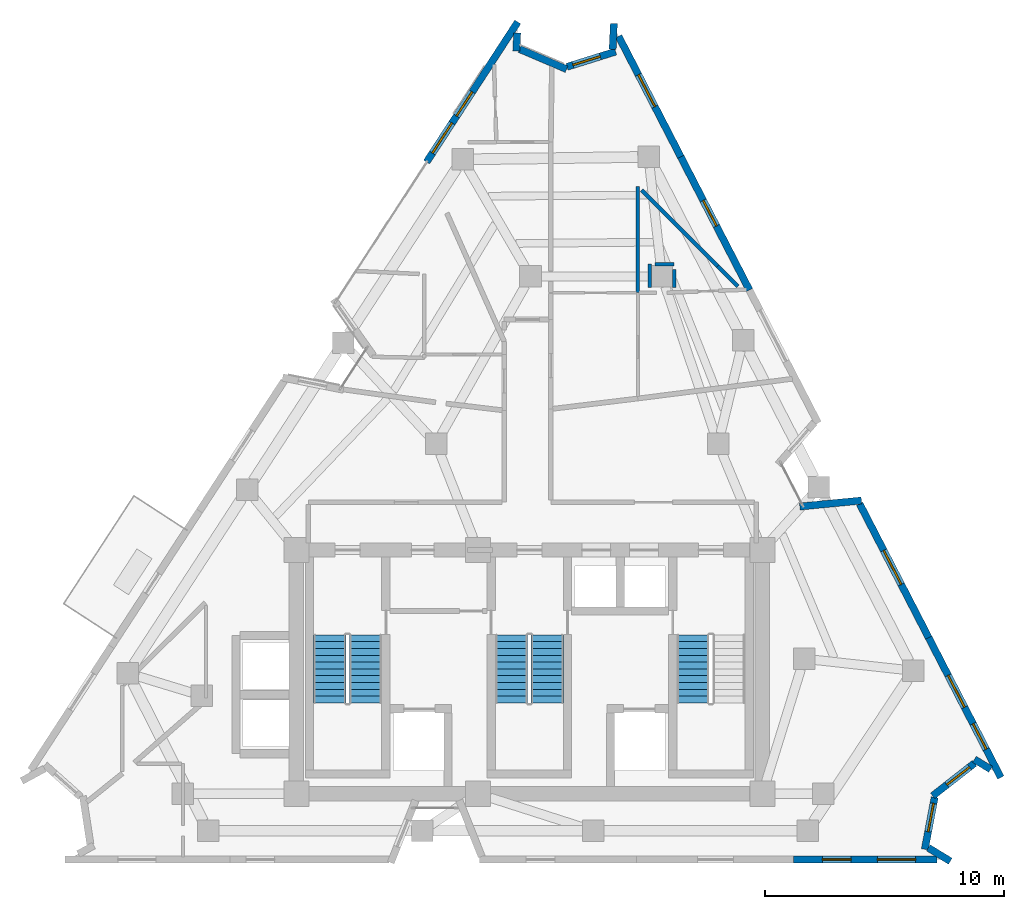
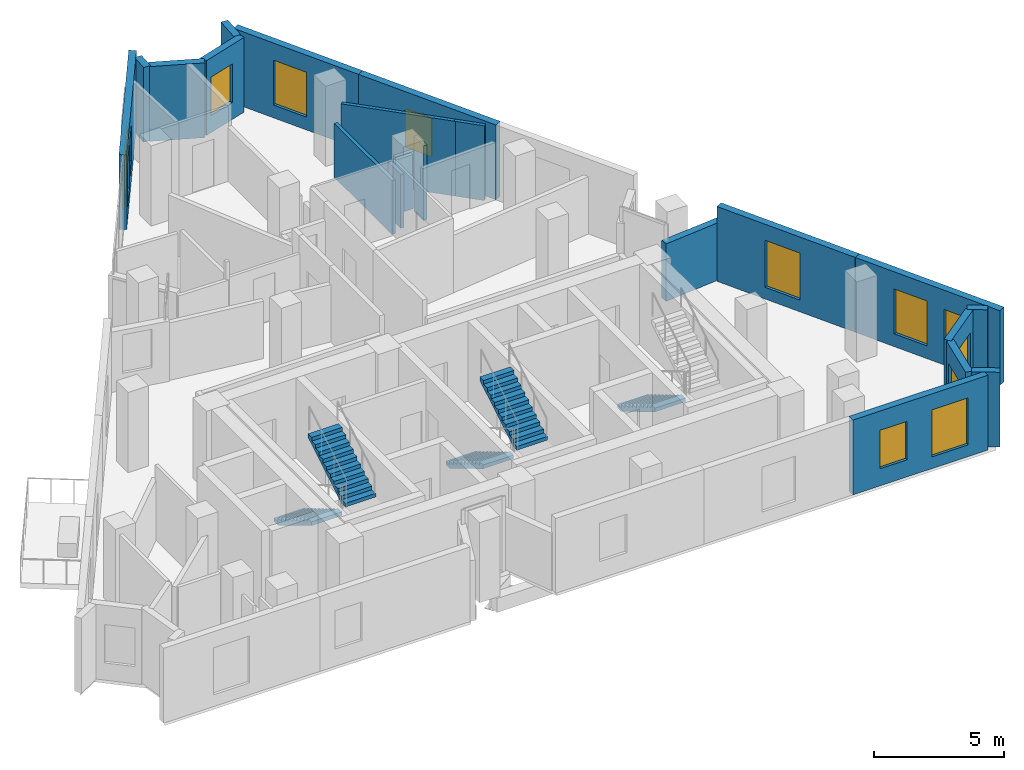
# One storey, part 8 of 11: 21 walls, 12 windows, 5 stair flights, 12 openings, 3 elements without a shape of their own.
"""IFC4 building model written with IfcOpenShell, lengths in metres."""

from ifc_helpers import new_model, si_unit, direction, frame, frame_2d, origin, place, context, subcontext, project, spatial, polyline, rectangle, outline, extrude, material, layer, layer_set, type_object, element, fill, aggregate, save


model = new_model("IFC4")

# Units and contexts
model_context = context("Model", 3, precision=1e-05, world=origin(), true_north=direction((0.0, 1.0)))
body_context = subcontext(model_context, "Body", "Model", "MODEL_VIEW")
ifc_project = project(units=[si_unit("LENGTHUNIT", "METRE"), si_unit("AREAUNIT", "SQUARE_METRE"), si_unit("VOLUMEUNIT", "CUBIC_METRE"), si_unit("PLANEANGLEUNIT", "RADIAN"), si_unit("MASSUNIT", "GRAM", prefix="KILO")], contexts=[model_context])

# Site, building, storey
site_placement = place(None, origin())
site = spatial("IfcSite", under=ifc_project, at=site_placement, CompositionType="ELEMENT")
building_placement = place(site_placement, origin())
building = spatial("IfcBuilding", under=site, at=building_placement, Name="Almagre Mirador Tower", CompositionType="ELEMENT")
storey_placement = place(building_placement, frame((0.0, 0.0, 218.25)))
storey = spatial("IfcBuildingStorey", under=building, at=storey_placement, Name="L56", CompositionType="ELEMENT", Elevation=218.25)

# Wall, openings, windows
ifc_material_1 = material(Name="Precast concrete C50/60", Category="concrete")
ifc_layer_1 = layer(ifc_material_1, 0.300048828125)
ifc_layer_set_1 = layer_set([ifc_layer_1], Name="Precast concrete C50/60")
wall_type_1 = type_object("IfcWallType", Name="WAL-EXT-300", PredefinedType="SOLIDWALL", material=ifc_layer_set_1)
wall_1_placement = place(storey_placement, frame((33.00244140625, 30.988037109375, 0.0), z_axis=(0.0, 0.0, 1.0), x_axis=(0.545668039772, 0.838001426234, 0.0)))
wall_1 = element("IfcWall", 1, at=wall_1_placement, inside=storey, type_object=wall_type_1, Name="L56 expressed almagre precast frame wall 03", PredefinedType="SOLIDWALL", context=body_context, shape_type="SweptSolid", body=[
    extrude(rectangle(XDim=6.99267578125, YDim=0.300048828125, at=frame_2d((3.496337890625, 0.0))), origin(), (0.0, 0.0, 1.0), 3.5),
])
opening_1_placement = place(wall_1_placement, frame((2.300048828125, 0.0, 0.800048828125)))
opening_1 = element("IfcOpeningElement", 2, at=opening_1_placement, cuts=wall_1, Name="Opening WN-04", PredefinedType="OPENING", context=body_context, shape_type="SweptSolid", body=[
    extrude(rectangle(XDim=1.199951171875, YDim=1.800048828125, at=frame_2d((0.60009765625, 0.89990234375))), frame((0.0, 0.159902, 0.0), z_axis=(0.0, -1.0, 0.0), x_axis=(1.0, 0.0, 0.0)), (0.0, 0.0, 1.0), 0.320049),
])
opening_2_placement = place(wall_1_placement, frame((0.444091796875, 0.0, 0.60009765625)))
opening_2 = element("IfcOpeningElement", 3, at=opening_2_placement, cuts=wall_1, Name="Opening WN-03", PredefinedType="OPENING", context=body_context, shape_type="SweptSolid", body=[
    extrude(rectangle(XDim=1.5, YDim=2.10009765625, at=frame_2d((0.75, 1.050048828125))), frame((0.0, 0.159902, 0.0), z_axis=(0.0, -1.0, 0.0), x_axis=(1.0, 0.0, 0.0)), (0.0, 0.0, 1.0), 0.320049),
])
ifc_material_2 = material(Name="Dark solar-control laminated hurricane glass", Category="glass")
window_type_1 = type_object("IfcWindowType", Name="WIN-1200X1800", PartitioningType="SINGLE_PANEL", PredefinedType="WINDOW", material=ifc_material_2)
window_1_placement = place(opening_1_placement, origin())
window_1 = element("IfcWindow", 4, at=window_1_placement, inside=storey, type_object=window_type_1, Name="L56 recessed hurricane window L56-UJ-BT", OverallHeight=1.800048828125, OverallWidth=1.199951171875, PartitioningType="SINGLE_PANEL", PredefinedType="WINDOW", context=body_context, shape_type="SweptSolid", body=[
    extrude(rectangle(XDim=1.199951171875, YDim=1.800048828125, at=frame_2d((0.60009765625, 0.89990234375))), frame((0.0, 0.030029296875, 0.0), z_axis=(0.0, -1.0, 0.0), x_axis=(1.0, 0.0, 0.0)), (0.0, 0.0, 1.0), 0.06005859375),
])
fill(opening_1, window_1)
ifc_material_3 = material(Name="Dark solar-control laminated hurricane glass", Category="glass")
window_type_2 = type_object("IfcWindowType", Name="WIN-1500X2100", PartitioningType="DOUBLE_PANEL_VERTICAL", PredefinedType="WINDOW", material=ifc_material_3)
window_2_placement = place(opening_2_placement, origin())
window_2 = element("IfcWindow", 5, at=window_2_placement, inside=storey, type_object=window_type_2, Name="L56 recessed hurricane window UJ-ST", OverallHeight=2.10009765625, OverallWidth=1.5, PartitioningType="SINGLE_PANEL", PredefinedType="WINDOW", context=body_context, shape_type="SweptSolid", body=[
    extrude(rectangle(XDim=1.5, YDim=2.10009765625, at=frame_2d((0.75, 1.050048828125))), frame((0.0, 0.030029296875, 0.0), z_axis=(0.0, -1.0, 0.0), x_axis=(1.0, 0.0, 0.0)), (0.0, 0.0, 1.0), 0.06005859375),
])
fill(opening_2, window_2)

# Walls
wall_2_placement = place(storey_placement, frame((36.794677734375, 36.388671875, 0.0), z_axis=(0.0, 0.0, 1.0), x_axis=(-0.051042347118, -0.998696489831, 0.0)))
element("IfcWall", 6, at=wall_2_placement, inside=storey, type_object=wall_type_1, Name="L56 expressed almagre precast frame wall 04", PredefinedType="SOLIDWALL", context=body_context, shape_type="SweptSolid", body=[
    extrude(rectangle(XDim=0.760498046875, YDim=0.300048828125, at=frame_2d((0.38037109375, 0.0))), origin(), (0.0, 0.0, 1.0), 3.5),
])
wall_3_placement = place(storey_placement, frame((36.88720703125, 35.7158203125, 0.0), z_axis=(0.0, 0.0, 1.0), x_axis=(0.919567916171, -0.392931097711, 0.0)))
element("IfcWall", 7, at=wall_3_placement, inside=storey, type_object=wall_type_1, Name="L56 expressed almagre precast frame wall 05", PredefinedType="SOLIDWALL", context=body_context, shape_type="SweptSolid", body=[
    extrude(rectangle(XDim=2.147216796875, YDim=0.300048828125, at=frame_2d((1.07373046875, 0.0))), origin(), (0.0, 0.0, 1.0), 3.5),
])

# Wall, opening, window
wall_4_placement = place(storey_placement, frame((38.873291015625, 34.970947265625, 0.0), z_axis=(0.0, 0.0, 1.0), x_axis=(0.954555183372, 0.298034229407, 0.0)))
wall_4 = element("IfcWall", 8, at=wall_4_placement, inside=storey, type_object=wall_type_1, Name="L56 expressed almagre precast frame wall 06", PredefinedType="SOLIDWALL", context=body_context, shape_type="SweptSolid", body=[
    extrude(rectangle(XDim=2.136474609375, YDim=0.300048828125, at=frame_2d((1.068359375, 0.0))), origin(), (0.0, 0.0, 1.0), 3.5),
])
opening_3_placement = place(wall_4_placement, frame((0.262939453125, 0.0, 0.800048828125)))
opening_3 = element("IfcOpeningElement", 9, at=opening_3_placement, cuts=wall_4, Name="Opening WN-04", PredefinedType="OPENING", context=body_context, shape_type="SweptSolid", body=[
    extrude(rectangle(XDim=1.199951171875, YDim=1.800048828125, at=frame_2d((0.60009765625, 0.89990234375))), frame((0.0, 0.159902, 0.0), z_axis=(0.0, -1.0, 0.0), x_axis=(1.0, 0.0, 0.0)), (0.0, 0.0, 1.0), 0.320049),
])
window_3_placement = place(opening_3_placement, origin())
window_3 = element("IfcWindow", 10, at=window_3_placement, inside=storey, type_object=window_type_1, Name="L56 recessed hurricane window L56-RST-K", OverallHeight=1.800048828125, OverallWidth=1.199951171875, PartitioningType="SINGLE_PANEL", PredefinedType="WINDOW", context=body_context, shape_type="SweptSolid", body=[
    extrude(rectangle(XDim=1.199951171875, YDim=1.800048828125, at=frame_2d((0.60009765625, 0.89990234375))), frame((0.0, 0.030029296875, 0.0), z_axis=(0.0, -1.0, 0.0), x_axis=(1.0, 0.0, 0.0)), (0.0, 0.0, 1.0), 0.06005859375),
])
fill(opening_3, window_3)

# Wall
wall_5_placement = place(storey_placement, frame((40.78564453125, 35.700927734375, 0.0), z_axis=(0.0, 0.0, 1.0), x_axis=(0.05016199642, 0.998741094636, 0.0)))
element("IfcWall", 11, at=wall_5_placement, inside=storey, type_object=wall_type_1, Name="L56 expressed almagre precast frame wall 07", PredefinedType="SOLIDWALL", context=body_context, shape_type="SweptSolid", body=[
    extrude(rectangle(XDim=1.08544921875, YDim=0.300048828125, at=frame_2d((0.542724609375, 0.0))), origin(), (0.0, 0.0, 1.0), 3.5),
])

# Wall, opening, window
wall_6_placement = place(storey_placement, frame((41.036865234375, 36.24951171875, 0.0), z_axis=(0.0, 0.0, 1.0), x_axis=(0.458317776769, -0.888788397481, 0.0)))
wall_6 = element("IfcWall", 12, at=wall_6_placement, inside=storey, type_object=wall_type_1, Name="L56 expressed almagre precast frame wall 08", PredefinedType="SOLIDWALL", context=body_context, shape_type="SweptSolid", body=[
    extrude(rectangle(XDim=5.68115234375, YDim=0.300048828125, at=frame_2d((2.840576171875, 0.0))), origin(), (0.0, 0.0, 1.0), 3.5),
])
opening_4_placement = place(wall_6_placement, frame((1.81494140625, 0.0, 0.60009765625)))
opening_4 = element("IfcOpeningElement", 13, at=opening_4_placement, cuts=wall_6, Name="Opening WN-03", PredefinedType="OPENING", context=body_context, shape_type="SweptSolid", body=[
    extrude(rectangle(XDim=1.5, YDim=2.10009765625, at=frame_2d((0.75, 1.050048828125))), frame((0.0, 0.159902, 0.0), z_axis=(0.0, -1.0, 0.0), x_axis=(1.0, 0.0, 0.0)), (0.0, 0.0, 1.0), 0.320049),
])
window_4_placement = place(opening_4_placement, origin())
window_4 = element("IfcWindow", 14, at=window_4_placement, inside=storey, type_object=window_type_2, Name="L56 recessed hurricane window L56-RST-K", OverallHeight=2.10009765625, OverallWidth=1.5, PartitioningType="SINGLE_PANEL", PredefinedType="WINDOW", context=body_context, shape_type="SweptSolid", body=[
    extrude(rectangle(XDim=1.5, YDim=2.10009765625, at=frame_2d((0.75, 1.050048828125))), frame((0.0, 0.030029296875, 0.0), z_axis=(0.0, -1.0, 0.0), x_axis=(1.0, 0.0, 0.0)), (0.0, 0.0, 1.0), 0.06005859375),
])
fill(opening_4, window_4)

wall_7_placement = place(storey_placement, frame((43.640625, 31.2001953125, 0.0), z_axis=(0.0, 0.0, 1.0), x_axis=(0.458306446078, -0.88879424024, 0.0)))
wall_7 = element("IfcWall", 15, at=wall_7_placement, inside=storey, type_object=wall_type_1, Name="L56 expressed almagre precast frame wall 09", PredefinedType="SOLIDWALL", context=body_context, shape_type="SweptSolid", body=[
    extrude(rectangle(XDim=6.26611328125, YDim=0.300048828125, at=frame_2d((3.133056640625, 0.0))), origin(), (0.0, 0.0, 1.0), 3.5),
])
opening_5_placement = place(wall_7_placement, frame((2.050048828125, 0.0, 0.800048828125)))
opening_5 = element("IfcOpeningElement", 16, at=opening_5_placement, cuts=wall_7, Name="Opening WN-04", PredefinedType="OPENING", context=body_context, shape_type="SweptSolid", body=[
    extrude(rectangle(XDim=1.199951171875, YDim=1.800048828125, at=frame_2d((0.60009765625, 0.89990234375))), frame((0.0, 0.159902, 0.0), z_axis=(0.0, -1.0, 0.0), x_axis=(1.0, 0.0, 0.0)), (0.0, 0.0, 1.0), 0.320049),
])
window_5_placement = place(opening_5_placement, origin())
window_5 = element("IfcWindow", 17, at=window_5_placement, inside=storey, type_object=window_type_1, Name="L56 recessed hurricane window L56-RST-K", OverallHeight=1.800048828125, OverallWidth=1.199951171875, PartitioningType="SINGLE_PANEL", PredefinedType="WINDOW", context=body_context, shape_type="SweptSolid", body=[
    extrude(rectangle(XDim=1.199951171875, YDim=1.800048828125, at=frame_2d((0.60009765625, 0.89990234375))), frame((0.0, 0.030029296875, 0.0), z_axis=(0.0, -1.0, 0.0), x_axis=(1.0, 0.0, 0.0)), (0.0, 0.0, 1.0), 0.06005859375),
])
fill(opening_5, window_5)

# Wall
wall_8_placement = place(storey_placement, frame((48.61962890625, 16.5693359375, 0.0), z_axis=(0.0, 0.0, 1.0), x_axis=(0.995258418323, 0.097266030854, 0.0)))
element("IfcWall", 18, at=wall_8_placement, inside=storey, type_object=wall_type_1, Name="L56 expressed almagre precast frame wall 12", PredefinedType="SOLIDWALL", context=body_context, shape_type="SweptSolid", body=[
    extrude(rectangle(XDim=2.5927734375, YDim=0.300048828125, at=frame_2d((1.29638671875, 0.0))), origin(), (0.0, 0.0, 1.0), 2.68994140625),
])

# Wall, opening, window
wall_9_placement = place(storey_placement, frame((51.125, 16.68359375, 0.0), z_axis=(0.0, 0.0, 1.0), x_axis=(0.458334073983, -0.888779993376, 0.0)))
wall_9 = element("IfcWall", 19, at=wall_9_placement, inside=storey, type_object=wall_type_1, Name="L56 expressed almagre precast frame wall 13", PredefinedType="SOLIDWALL", context=body_context, shape_type="SweptSolid", body=[
    extrude(rectangle(XDim=6.302978515625, YDim=0.300048828125, at=frame_2d((3.1513671875, 0.0))), origin(), (0.0, 0.0, 1.0), 3.5),
])
opening_6_placement = place(wall_9_placement, frame((2.195068359375, 0.0, 0.550048828125)))
opening_6 = element("IfcOpeningElement", 20, at=opening_6_placement, cuts=wall_9, Name="Opening WN-06", PredefinedType="OPENING", context=body_context, shape_type="SweptSolid", body=[
    extrude(rectangle(XDim=1.60009765625, YDim=2.199951171875, at=frame_2d((0.800048828125, 1.10009765625))), frame((0.0, 0.159902, 0.0), z_axis=(0.0, -1.0, 0.0), x_axis=(1.0, 0.0, 0.0)), (0.0, 0.0, 1.0), 0.320049),
])
ifc_material_4 = material(Name="Dark solar-control laminated hurricane glass", Category="glass")
window_type_3 = type_object("IfcWindowType", Name="WIN-1600X2200", PartitioningType="DOUBLE_PANEL_VERTICAL", PredefinedType="WINDOW", material=ifc_material_4)
window_6_placement = place(opening_6_placement, origin())
window_6 = element("IfcWindow", 21, at=window_6_placement, inside=storey, type_object=window_type_3, Name="L56 recessed hurricane window L56-RST-F", OverallHeight=2.199951171875, OverallWidth=1.60009765625, PartitioningType="SINGLE_PANEL", PredefinedType="WINDOW", context=body_context, shape_type="SweptSolid", body=[
    extrude(rectangle(XDim=1.60009765625, YDim=2.199951171875, at=frame_2d((0.800048828125, 1.10009765625))), frame((0.0, 0.030029296875, 0.0), z_axis=(0.0, -1.0, 0.0), x_axis=(1.0, 0.0, 0.0)), (0.0, 0.0, 1.0), 0.06005859375),
])
fill(opening_6, window_6)

# Wall, openings, windows
wall_10_placement = place(storey_placement, frame((54.013916015625, 11.08154296875, 0.0), z_axis=(0.0, 0.0, 1.0), x_axis=(0.458349099599, -0.888772244671, 0.0)))
wall_10 = element("IfcWall", 22, at=wall_10_placement, inside=storey, type_object=wall_type_1, Name="L56 expressed almagre precast frame wall 14", PredefinedType="SOLIDWALL", context=body_context, shape_type="SweptSolid", body=[
    extrude(rectangle(XDim=6.5830078125, YDim=0.300048828125, at=frame_2d((3.29150390625, 0.0))), origin(), (0.0, 0.0, 1.0), 3.5),
])
opening_7_placement = place(wall_10_placement, frame((1.77490234375, 0.0, 0.60009765625)))
opening_7 = element("IfcOpeningElement", 23, at=opening_7_placement, cuts=wall_10, Name="Opening WN-03", PredefinedType="OPENING", context=body_context, shape_type="SweptSolid", body=[
    extrude(rectangle(XDim=1.5, YDim=2.10009765625, at=frame_2d((0.75, 1.050048828125))), frame((0.0, 0.159902, 0.0), z_axis=(0.0, -1.0, 0.0), x_axis=(1.0, 0.0, 0.0)), (0.0, 0.0, 1.0), 0.320049),
])
opening_8_placement = place(wall_10_placement, frame((4.050048828125, 0.0, 0.800048828125)))
opening_8 = element("IfcOpeningElement", 24, at=opening_8_placement, cuts=wall_10, Name="Opening WN-04", PredefinedType="OPENING", context=body_context, shape_type="SweptSolid", body=[
    extrude(rectangle(XDim=1.199951171875, YDim=1.800048828125, at=frame_2d((0.60009765625, 0.89990234375))), frame((0.0, 0.159902, 0.0), z_axis=(0.0, -1.0, 0.0), x_axis=(1.0, 0.0, 0.0)), (0.0, 0.0, 1.0), 0.320049),
])
window_7_placement = place(opening_8_placement, origin())
window_7 = element("IfcWindow", 25, at=window_7_placement, inside=storey, type_object=window_type_1, Name="L56 recessed hurricane window L56-UC-KT", OverallHeight=1.800048828125, OverallWidth=1.199951171875, PartitioningType="SINGLE_PANEL", PredefinedType="WINDOW", context=body_context, shape_type="SweptSolid", body=[
    extrude(rectangle(XDim=1.199951171875, YDim=1.800048828125, at=frame_2d((0.60009765625, 0.89990234375))), frame((0.0, 0.030029296875, 0.0), z_axis=(0.0, -1.0, 0.0), x_axis=(1.0, 0.0, 0.0)), (0.0, 0.0, 1.0), 0.06005859375),
])
fill(opening_8, window_7)
window_8_placement = place(opening_7_placement, origin())
window_8 = element("IfcWindow", 26, at=window_8_placement, inside=storey, type_object=window_type_2, Name="L56 recessed hurricane window L56-UC-ST", OverallHeight=2.10009765625, OverallWidth=1.5, PartitioningType="SINGLE_PANEL", PredefinedType="WINDOW", context=body_context, shape_type="SweptSolid", body=[
    extrude(rectangle(XDim=1.5, YDim=2.10009765625, at=frame_2d((0.75, 1.050048828125))), frame((0.0, 0.030029296875, 0.0), z_axis=(0.0, -1.0, 0.0), x_axis=(1.0, 0.0, 0.0)), (0.0, 0.0, 1.0), 0.06005859375),
])
fill(opening_7, window_8)

# Wall
wall_11_placement = place(storey_placement, frame((56.60400390625, 5.576171875, 0.0), z_axis=(0.0, 0.0, 1.0), x_axis=(-0.853729558339, 0.520716661168, 0.0)))
element("IfcWall", 27, at=wall_11_placement, inside=storey, type_object=wall_type_1, Name="L56 expressed almagre precast frame wall 15", PredefinedType="SOLIDWALL", context=body_context, shape_type="SweptSolid", body=[
    extrude(rectangle(XDim=0.794677734375, YDim=0.300048828125, at=frame_2d((0.3974609375, 0.0))), origin(), (0.0, 0.0, 1.0), 3.5),
])

# Wall, opening, window
wall_12_placement = place(storey_placement, frame((55.934814453125, 5.830810546875, 0.0), z_axis=(0.0, 0.0, 1.0), x_axis=(-0.788358616074, -0.61521597221, 0.0)))
wall_12 = element("IfcWall", 28, at=wall_12_placement, inside=storey, type_object=wall_type_1, Name="L56 expressed almagre precast frame wall 16", PredefinedType="SOLIDWALL", context=body_context, shape_type="SweptSolid", body=[
    extrude(rectangle(XDim=2.22509765625, YDim=0.300048828125, at=frame_2d((1.112548828125, 0.0))), origin(), (0.0, 0.0, 1.0), 3.5),
])
opening_9_placement = place(wall_12_placement, frame((0.27001953125, 0.0, 0.800048828125)))
opening_9 = element("IfcOpeningElement", 29, at=opening_9_placement, cuts=wall_12, Name="Opening WN-04", PredefinedType="OPENING", context=body_context, shape_type="SweptSolid", body=[
    extrude(rectangle(XDim=1.199951171875, YDim=1.800048828125, at=frame_2d((0.60009765625, 0.89990234375))), frame((0.0, 0.159902, 0.0), z_axis=(0.0, -1.0, 0.0), x_axis=(1.0, 0.0, 0.0)), (0.0, 0.0, 1.0), 0.320049),
])
window_9_placement = place(opening_9_placement, origin())
window_9 = element("IfcWindow", 30, at=window_9_placement, inside=storey, type_object=window_type_1, Name="L56 recessed hurricane window L56-UC-KT", OverallHeight=1.800048828125, OverallWidth=1.199951171875, PartitioningType="SINGLE_PANEL", PredefinedType="WINDOW", context=body_context, shape_type="SweptSolid", body=[
    extrude(rectangle(XDim=1.199951171875, YDim=1.800048828125, at=frame_2d((0.60009765625, 0.89990234375))), frame((0.0, 0.030029296875, 0.0), z_axis=(0.0, -1.0, 0.0), x_axis=(1.0, 0.0, 0.0)), (0.0, 0.0, 1.0), 0.06005859375),
])
fill(opening_9, window_9)

wall_13_placement = place(storey_placement, frame((54.26318359375, 4.400634765625, 0.0), z_axis=(0.0, 0.0, 1.0), x_axis=(-0.185632792315, -0.982619186876, 0.0)))
wall_13 = element("IfcWall", 31, at=wall_13_placement, inside=storey, type_object=wall_type_1, Name="L56 expressed almagre precast frame wall 17", PredefinedType="SOLIDWALL", context=body_context, shape_type="SweptSolid", body=[
    extrude(rectangle(XDim=2.21484375, YDim=0.300048828125, at=frame_2d((1.107421875, 0.0))), origin(), (0.0, 0.0, 1.0), 3.5),
])
opening_10_placement = place(wall_13_placement, frame((0.260009765625, 0.0, 0.800048828125)))
opening_10 = element("IfcOpeningElement", 32, at=opening_10_placement, cuts=wall_13, Name="Opening WN-04", PredefinedType="OPENING", context=body_context, shape_type="SweptSolid", body=[
    extrude(rectangle(XDim=1.199951171875, YDim=1.800048828125, at=frame_2d((0.60009765625, 0.89990234375))), frame((0.0, 0.159902, 0.0), z_axis=(0.0, -1.0, 0.0), x_axis=(1.0, 0.0, 0.0)), (0.0, 0.0, 1.0), 0.320049),
])
window_10_placement = place(opening_10_placement, origin())
window_10 = element("IfcWindow", 33, at=window_10_placement, inside=storey, type_object=window_type_1, Name="L56 recessed hurricane window L56-UC-KT", OverallHeight=1.800048828125, OverallWidth=1.199951171875, PartitioningType="SINGLE_PANEL", PredefinedType="WINDOW", context=body_context, shape_type="SweptSolid", body=[
    extrude(rectangle(XDim=1.199951171875, YDim=1.800048828125, at=frame_2d((0.60009765625, 0.89990234375))), frame((0.0, 0.030029296875, 0.0), z_axis=(0.0, -1.0, 0.0), x_axis=(1.0, 0.0, 0.0)), (0.0, 0.0, 1.0), 0.06005859375),
])
fill(opening_10, window_10)

# Wall
wall_14_placement = place(storey_placement, frame((53.99755859375, 2.2890625, 0.0), z_axis=(0.0, 0.0, 1.0), x_axis=(0.853840299064, -0.520535055203, 0.0)))
element("IfcWall", 34, at=wall_14_placement, inside=storey, type_object=wall_type_1, Name="L56 expressed almagre precast frame wall 18", PredefinedType="SOLIDWALL", context=body_context, shape_type="SweptSolid", body=[
    extrude(rectangle(XDim=1.07958984375, YDim=0.300048828125, at=frame_2d((0.539794921875, 0.0))), origin(), (0.0, 0.0, 1.0), 3.5),
])

# Wall, openings, windows
wall_15_placement = place(storey_placement, frame((54.360107421875, 1.800048828125, 0.0), z_axis=(0.0, 0.0, 1.0), x_axis=(-1.0, 0.0, 0.0)))
wall_15 = element("IfcWall", 35, at=wall_15_placement, inside=storey, type_object=wall_type_1, Name="L56 expressed almagre precast frame wall 19", PredefinedType="SOLIDWALL", context=body_context, shape_type="SweptSolid", body=[
    extrude(rectangle(XDim=5.994873046875, YDim=0.300048828125, at=frame_2d((2.99755859375, 0.0))), origin(), (0.0, 0.0, 1.0), 3.5),
])
opening_11_placement = place(wall_15_placement, frame((3.594970703125, 0.0, 0.800048828125)))
opening_11 = element("IfcOpeningElement", 36, at=opening_11_placement, cuts=wall_15, Name="Opening WN-04", PredefinedType="OPENING", context=body_context, shape_type="SweptSolid", body=[
    extrude(rectangle(XDim=1.199951171875, YDim=1.800048828125, at=frame_2d((0.60009765625, 0.89990234375))), frame((0.0, 0.159902, 0.0), z_axis=(0.0, -1.0, 0.0), x_axis=(1.0, 0.0, 0.0)), (0.0, 0.0, 1.0), 0.320049),
])
opening_12_placement = place(wall_15_placement, frame((0.89501953125, 0.0, 0.550048828125)))
opening_12 = element("IfcOpeningElement", 37, at=opening_12_placement, cuts=wall_15, Name="Opening WN-06", PredefinedType="OPENING", context=body_context, shape_type="SweptSolid", body=[
    extrude(rectangle(XDim=1.60009765625, YDim=2.199951171875, at=frame_2d((0.800048828125, 1.10009765625))), frame((0.0, 0.159902, 0.0), z_axis=(0.0, -1.0, 0.0), x_axis=(1.0, 0.0, 0.0)), (0.0, 0.0, 1.0), 0.320049),
])
window_11_placement = place(opening_11_placement, origin())
window_11 = element("IfcWindow", 38, at=window_11_placement, inside=storey, type_object=window_type_1, Name="L56 recessed hurricane window L56-UB-ST", OverallHeight=1.800048828125, OverallWidth=1.199951171875, PartitioningType="SINGLE_PANEL", PredefinedType="WINDOW", context=body_context, shape_type="SweptSolid", body=[
    extrude(rectangle(XDim=1.199951171875, YDim=1.800048828125, at=frame_2d((0.60009765625, 0.89990234375))), frame((0.0, 0.030029296875, 0.0), z_axis=(0.0, -1.0, 0.0), x_axis=(1.0, 0.0, 0.0)), (0.0, 0.0, 1.0), 0.06005859375),
])
fill(opening_11, window_11)
window_12_placement = place(opening_12_placement, origin())
window_12 = element("IfcWindow", 39, at=window_12_placement, inside=storey, type_object=window_type_3, Name="L56 recessed hurricane window L56-UC-KT", OverallHeight=2.199951171875, OverallWidth=1.60009765625, PartitioningType="SINGLE_PANEL", PredefinedType="WINDOW", context=body_context, shape_type="SweptSolid", body=[
    extrude(rectangle(XDim=1.60009765625, YDim=2.199951171875, at=frame_2d((0.800048828125, 1.10009765625))), frame((0.0, 0.030029296875, 0.0), z_axis=(0.0, -1.0, 0.0), x_axis=(1.0, 0.0, 0.0)), (0.0, 0.0, 1.0), 0.06005859375),
])
fill(opening_12, window_12)

# Walls
ifc_material_5 = material(Name="Gypsum acoustic stud partition", Category="other")
ifc_layer_2 = layer(ifc_material_5, 0.14990234375)
ifc_layer_set_2 = layer_set([ifc_layer_2], Name="Gypsum acoustic stud partition")
wall_type_2 = type_object("IfcWallType", Name="WAL-PRT-150-STD", PredefinedType="PARTITIONING", material=ifc_layer_set_2)
wall_16_placement = place(storey_placement, frame((41.840087890625, 29.969970703125, 0.0), z_axis=(0.0, 0.0, 1.0), x_axis=(0.0, -1.0, 0.0)))
element("IfcWall", 40, at=wall_16_placement, inside=storey, type_object=wall_type_2, Name="L56 interior partition 048", PredefinedType="PARTITIONING", context=body_context, shape_type="SweptSolid", body=[
    extrude(rectangle(XDim=4.4375, YDim=0.14990234375, at=frame_2d((2.21875, 0.0))), origin(), (0.0, 0.0, 1.0), 2.52001953125),
])
wall_17_placement = place(storey_placement, frame((42.340087890625, 25.735107421875, 0.0), z_axis=(0.0, 0.0, 1.0), x_axis=(0.0, 1.0, 0.0)))
element("IfcWall", 41, at=wall_17_placement, inside=storey, type_object=wall_type_2, Name="L56 interior partition 061", PredefinedType="PARTITIONING", context=body_context, shape_type="SweptSolid", body=[
    extrude(rectangle(XDim=0.974853515625, YDim=0.14990234375, at=frame_2d((0.4873046875, 0.0))), origin(), (0.0, 0.0, 1.0), 2.52001953125),
])
wall_18_placement = place(storey_placement, frame((42.554931640625, 26.7099609375, 0.0), z_axis=(0.0, 0.0, 1.0), x_axis=(1.0, 0.0, 0.0)))
element("IfcWall", 42, at=wall_18_placement, inside=storey, type_object=wall_type_2, Name="L56 interior partition 062", PredefinedType="PARTITIONING", context=body_context, shape_type="SweptSolid", body=[
    extrude(rectangle(XDim=0.80517578125, YDim=0.14990234375, at=frame_2d((0.402587890625, 0.0))), origin(), (0.0, 0.0, 1.0), 2.68505859375),
])
wall_19_placement = place(storey_placement, frame((43.360107421875, 26.4951171875, 0.0), z_axis=(0.0, 0.0, 1.0), x_axis=(0.0, -1.0, 0.0)))
element("IfcWall", 43, at=wall_19_placement, inside=storey, type_object=wall_type_2, Name="L56 interior partition 063", PredefinedType="PARTITIONING", context=body_context, shape_type="SweptSolid", body=[
    extrude(rectangle(XDim=0.75, YDim=0.14990234375, at=frame_2d((0.375, 0.0))), origin(), (0.0, 0.0, 1.0), 3.5),
])
wall_20_placement = place(storey_placement, frame((46.024658203125, 25.785400390625, 0.0), z_axis=(0.0, 0.0, 1.0), x_axis=(-0.707106781187, 0.707106781187, 0.0)))
element("IfcWall", 44, at=wall_20_placement, inside=storey, type_object=wall_type_2, Name="L56 interior partition 901", PredefinedType="PARTITIONING", context=body_context, shape_type="SweptSolid", body=[
    extrude(rectangle(XDim=1.19970703125, YDim=0.14990234375, at=frame_2d((0.599853515625, 0.0))), origin(), (0.0, 0.0, 1.0), 3.5),
])
wall_21_placement = place(storey_placement, frame((45.216796875, 26.593017578125, 0.0), z_axis=(0.0, 0.0, 1.0), x_axis=(-0.707079952633, 0.707133608723, 0.0)))
element("IfcWall", 45, at=wall_21_placement, inside=storey, type_object=wall_type_2, Name="L56 interior partition 902", PredefinedType="PARTITIONING", context=body_context, shape_type="SweptSolid", body=[
    extrude(rectangle(XDim=4.550048828125, YDim=0.14990234375, at=frame_2d((2.27490234375, 0.0))), origin(), (0.0, 0.0, 1.0), 3.5),
])

# Stair, stair flights
ifc_material_6 = material(Name="Concrete C45/55", Category="concrete")
stair_type = type_object("IfcStairType", Name="STR-DL-3750", PredefinedType="HALF_TURN_STAIR", material=ifc_material_6)
stair_1_placement = place(storey_placement, origin())
stair_1 = element("IfcStair", 46, at=stair_1_placement, inside=storey, type_object=stair_type, Name="L56 Protected exit stair ST-1", PredefinedType="HALF_TURN_STAIR")
ifc_material_7 = material(Name="Concrete C45/55", Category="concrete")
stair_flight_type = type_object("IfcStairFlightType", Name="FLT-DL-3750", PredefinedType="STRAIGHT", material=ifc_material_7)
stair_flight_1_placement = place(storey_placement, frame((28.949951171875, 11.199951171875, 0.0), z_axis=(0.0, 0.0, 1.0), x_axis=(0.0, -1.0, 0.0)))
stair_flight_1 = element("IfcStairFlight", 47, at=stair_flight_1_placement, type_object=stair_flight_type, Name="ST-1 flight 1", NumberOfRisers=11, NumberOfTreads=10, PredefinedType="STRAIGHT", RiserHeight=0.170454545, TreadLength=0.285, context=body_context, shape_type="SweptSolid", body=[
    extrude(outline(polyline([(0.0, 0.0), (0.0, 0.17041015625), (0.284912109375, 0.17041015625), (0.284912109375, 0.3408203125), (0.570068359375, 0.3408203125), (0.570068359375, 0.511474609375), (0.85498046875, 0.511474609375), (0.85498046875, 0.681884765625), (1.139892578125, 0.681884765625), (1.139892578125, 0.852294921875), (1.425048828125, 0.852294921875), (1.425048828125, 1.022705078125), (1.7099609375, 1.022705078125), (1.7099609375, 1.193115234375), (1.9951171875, 1.193115234375), (1.9951171875, 1.363525390625), (2.280029296875, 1.363525390625), (2.280029296875, 1.5341796875), (2.56494140625, 1.5341796875), (2.56494140625, 1.70458984375), (2.85009765625, 1.70458984375), (2.85009765625, 1.875), (2.85009765625, 1.52978515625), (0.2919921875, 0.0), (0.0, 0.0)])), frame((0.0, 0.675048828125, 0.0), z_axis=(0.0, -1.0, 0.0), x_axis=(1.0, 0.0, 0.0)), (0.0, 0.0, 1.0), 1.35009765625),
])
stair_flight_2_placement = place(storey_placement, frame((30.449951171875, 8.35009765625, 1.875), z_axis=(0.0, 0.0, 1.0), x_axis=(0.0, 1.0, 0.0)))
stair_flight_2 = element("IfcStairFlight", 48, at=stair_flight_2_placement, type_object=stair_flight_type, Name="ST-1 flight 2", NumberOfRisers=11, NumberOfTreads=10, PredefinedType="STRAIGHT", RiserHeight=0.170454545, TreadLength=0.285, context=body_context, shape_type="SweptSolid", body=[
    extrude(outline(polyline([(0.0, 0.0), (0.0, 0.17041015625), (0.284912109375, 0.17041015625), (0.284912109375, 0.3408203125), (0.570068359375, 0.3408203125), (0.570068359375, 0.511474609375), (0.85498046875, 0.511474609375), (0.85498046875, 0.681884765625), (1.139892578125, 0.681884765625), (1.139892578125, 0.852294921875), (1.425048828125, 0.852294921875), (1.425048828125, 1.022705078125), (1.7099609375, 1.022705078125), (1.7099609375, 1.193115234375), (1.9951171875, 1.193115234375), (1.9951171875, 1.363525390625), (2.280029296875, 1.363525390625), (2.280029296875, 1.5341796875), (2.56494140625, 1.5341796875), (2.56494140625, 1.70458984375), (2.85009765625, 1.70458984375), (2.85009765625, 1.875), (2.85009765625, 1.52978515625), (0.2919921875, 0.0), (0.0, 0.0)])), frame((0.0, 0.675048828125, 0.0), z_axis=(0.0, -1.0, 0.0), x_axis=(1.0, 0.0, 0.0)), (0.0, 0.0, 1.0), 1.35009765625),
])
aggregate(stair_1, [stair_flight_1, stair_flight_2])

stair_2_placement = place(storey_placement, origin())
stair_2 = element("IfcStair", 49, at=stair_2_placement, inside=storey, type_object=stair_type, Name="L56 Protected exit stair ST-2", PredefinedType="HALF_TURN_STAIR")
stair_flight_3_placement = place(storey_placement, frame((36.550048828125, 11.199951171875, 0.0), z_axis=(0.0, 0.0, 1.0), x_axis=(0.0, -1.0, 0.0)))
stair_flight_3 = element("IfcStairFlight", 50, at=stair_flight_3_placement, type_object=stair_flight_type, Name="ST-2 flight 1", NumberOfRisers=11, NumberOfTreads=10, PredefinedType="STRAIGHT", RiserHeight=0.170454545, TreadLength=0.285, context=body_context, shape_type="SweptSolid", body=[
    extrude(outline(polyline([(0.0, 0.0), (0.0, 0.17041015625), (0.284912109375, 0.17041015625), (0.284912109375, 0.3408203125), (0.570068359375, 0.3408203125), (0.570068359375, 0.511474609375), (0.85498046875, 0.511474609375), (0.85498046875, 0.681884765625), (1.139892578125, 0.681884765625), (1.139892578125, 0.852294921875), (1.425048828125, 0.852294921875), (1.425048828125, 1.022705078125), (1.7099609375, 1.022705078125), (1.7099609375, 1.193115234375), (1.9951171875, 1.193115234375), (1.9951171875, 1.363525390625), (2.280029296875, 1.363525390625), (2.280029296875, 1.5341796875), (2.56494140625, 1.5341796875), (2.56494140625, 1.70458984375), (2.85009765625, 1.70458984375), (2.85009765625, 1.875), (2.85009765625, 1.52978515625), (0.2919921875, 0.0), (0.0, 0.0)])), frame((0.0, 0.675048828125, 0.0), z_axis=(0.0, -1.0, 0.0), x_axis=(1.0, 0.0, 0.0)), (0.0, 0.0, 1.0), 1.35009765625),
])
stair_flight_4_placement = place(storey_placement, frame((38.050048828125, 8.35009765625, 1.875), z_axis=(0.0, 0.0, 1.0), x_axis=(0.0, 1.0, 0.0)))
stair_flight_4 = element("IfcStairFlight", 51, at=stair_flight_4_placement, type_object=stair_flight_type, Name="ST-2 flight 2", NumberOfRisers=11, NumberOfTreads=10, PredefinedType="STRAIGHT", RiserHeight=0.170454545, TreadLength=0.285, context=body_context, shape_type="SweptSolid", body=[
    extrude(outline(polyline([(0.0, 0.0), (0.0, 0.17041015625), (0.284912109375, 0.17041015625), (0.284912109375, 0.3408203125), (0.570068359375, 0.3408203125), (0.570068359375, 0.511474609375), (0.85498046875, 0.511474609375), (0.85498046875, 0.681884765625), (1.139892578125, 0.681884765625), (1.139892578125, 0.852294921875), (1.425048828125, 0.852294921875), (1.425048828125, 1.022705078125), (1.7099609375, 1.022705078125), (1.7099609375, 1.193115234375), (1.9951171875, 1.193115234375), (1.9951171875, 1.363525390625), (2.280029296875, 1.363525390625), (2.280029296875, 1.5341796875), (2.56494140625, 1.5341796875), (2.56494140625, 1.70458984375), (2.85009765625, 1.70458984375), (2.85009765625, 1.875), (2.85009765625, 1.52978515625), (0.2919921875, 0.0), (0.0, 0.0)])), frame((0.0, 0.675048828125, 0.0), z_axis=(0.0, -1.0, 0.0), x_axis=(1.0, 0.0, 0.0)), (0.0, 0.0, 1.0), 1.35009765625),
])
aggregate(stair_2, [stair_flight_3, stair_flight_4])

# Stair, stair flight
stair_3_placement = place(storey_placement, origin())
stair_3 = element("IfcStair", 52, at=stair_3_placement, inside=storey, type_object=stair_type, Name="L56 Protected exit stair ST-3", PredefinedType="HALF_TURN_STAIR")
stair_flight_5_placement = place(storey_placement, frame((44.14990234375, 11.199951171875, 0.0), z_axis=(0.0, 0.0, 1.0), x_axis=(0.0, -1.0, 0.0)))
stair_flight_5 = element("IfcStairFlight", 53, at=stair_flight_5_placement, type_object=stair_flight_type, Name="ST-3 flight 1", NumberOfRisers=11, NumberOfTreads=10, PredefinedType="STRAIGHT", RiserHeight=0.170454545, TreadLength=0.285, context=body_context, shape_type="SweptSolid", body=[
    extrude(outline(polyline([(0.0, 0.0), (0.0, 0.17041015625), (0.284912109375, 0.17041015625), (0.284912109375, 0.3408203125), (0.570068359375, 0.3408203125), (0.570068359375, 0.511474609375), (0.85498046875, 0.511474609375), (0.85498046875, 0.681884765625), (1.139892578125, 0.681884765625), (1.139892578125, 0.852294921875), (1.425048828125, 0.852294921875), (1.425048828125, 1.022705078125), (1.7099609375, 1.022705078125), (1.7099609375, 1.193115234375), (1.9951171875, 1.193115234375), (1.9951171875, 1.363525390625), (2.280029296875, 1.363525390625), (2.280029296875, 1.5341796875), (2.56494140625, 1.5341796875), (2.56494140625, 1.70458984375), (2.85009765625, 1.70458984375), (2.85009765625, 1.875), (2.85009765625, 1.52978515625), (0.2919921875, 0.0), (0.0, 0.0)])), frame((0.0, 0.675048828125, 0.0), z_axis=(0.0, -1.0, 0.0), x_axis=(1.0, 0.0, 0.0)), (0.0, 0.0, 1.0), 1.35009765625),
])
aggregate(stair_3, [stair_flight_5])

save(model, "model.ifc")
